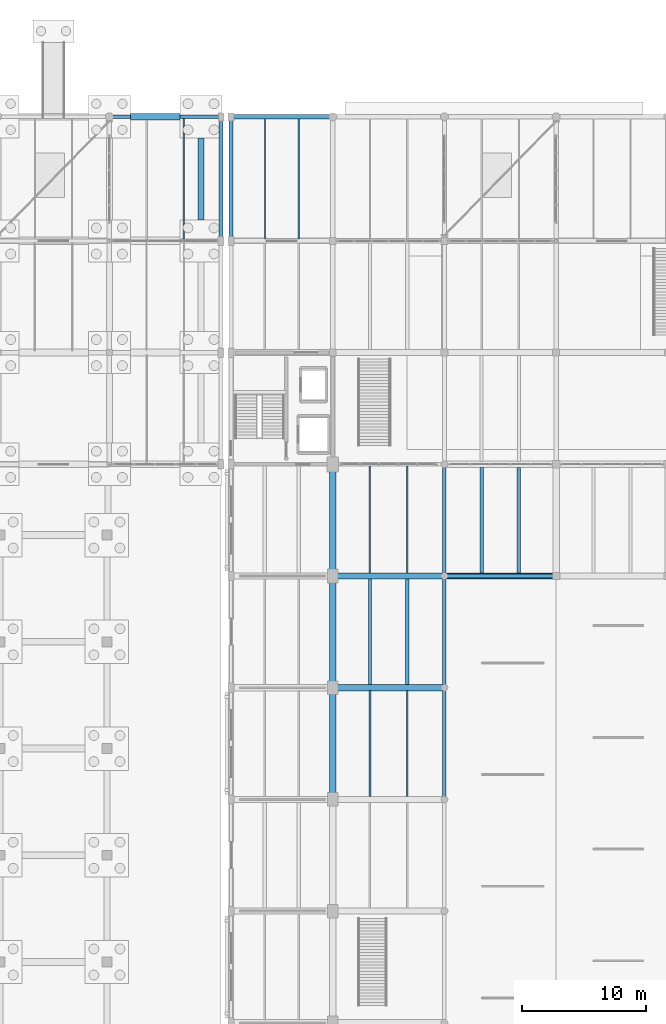
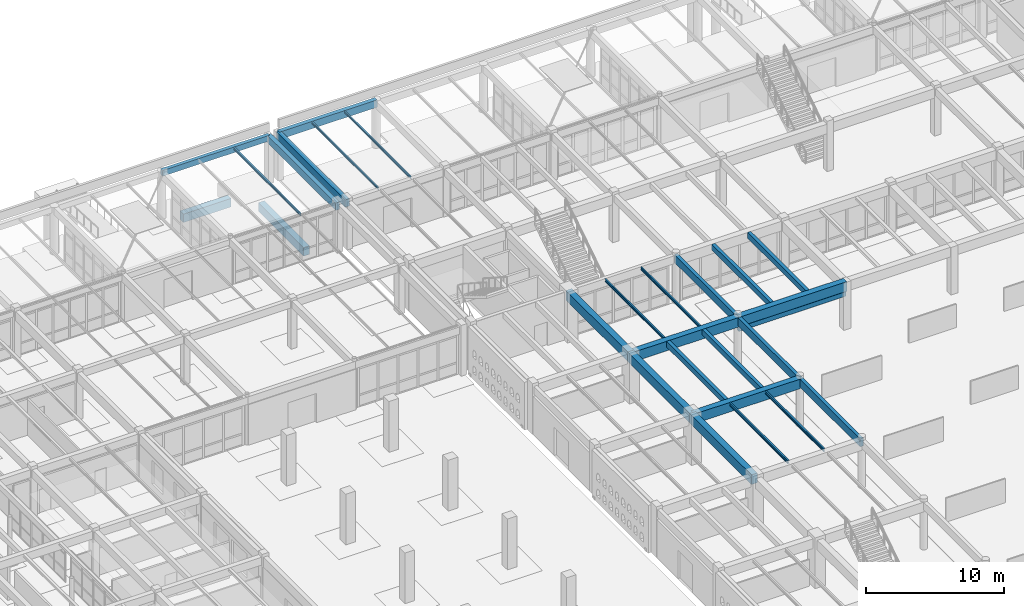
# One storey, part 79 of 186: 27 beams.
"""IFC4 building model written with IfcOpenShell, lengths in metres."""

import ifcopenshell
import ifcopenshell.guid

model = None  # the IFC model being written
_history = None  # IfcOwnerHistory: only IFC2X3 demands one
_inside = {}  # id of a spatial element -> (the spatial element, [elements in it])
_under = {}  # id of a project, library or spatial element -> (it, [spatial elements below it])
_declared = {}  # id of a project -> (the project, [libraries it declares])
_typed = {}  # id of a type object -> (the type object, [elements of that type])
_made_of = {}  # id of a material, layer set ... -> (it, [elements and type objects made of it])


def new_model(schema):
    """Start an empty IFC model of exactly this schema.

    Asked for "IFC4X3", IfcOpenShell would pick the latest addendum, in which some entities
    have other attributes; the version numbers below select the first issue.
    IFC2X3 requires an IfcOwnerHistory on every rooted entity: one is made here for all.
    """
    global model, _history
    if schema == "IFC4X3":
        model = ifcopenshell.file(schema_version=(4, 3, 0, 0))
    else:
        model = ifcopenshell.file(schema=schema)
    _inside.clear()
    _under.clear()
    _declared.clear()
    _typed.clear()
    _made_of.clear()
    _history = None
    if model.schema == "IFC2X3":
        org = make("IfcOrganization", Name="unknown")
        user = make(
            "IfcPersonAndOrganization",
            ThePerson=make("IfcPerson", FamilyName="unknown"),
            TheOrganization=org,
        )
        app = make(
            "IfcApplication",
            ApplicationDeveloper=org,
            Version="unknown",
            ApplicationFullName="unknown",
            ApplicationIdentifier="unknown",
        )
        _history = make(
            "IfcOwnerHistory",
            OwningUser=user,
            OwningApplication=app,
            ChangeAction="ADDED",
            CreationDate=0,
        )
    return model


def make(cls, **values):
    """One entity of the class cls with the attributes given. An attribute that is None is left unset."""
    return model.create_entity(
        cls, **{name: value for name, value in values.items() if value is not None}
    )


def rooted(cls, **values):
    """An entity with a GlobalId (a new one), such as an element, a storey or a relation."""
    return make(cls, GlobalId=ifcopenshell.guid.new(), OwnerHistory=_history, **values)


def si_unit(unit_type, name, prefix=None):
    """IfcSIUnit, for example si_unit("LENGTHUNIT", "METRE", prefix="MILLI")."""
    return make("IfcSIUnit", UnitType=unit_type, Prefix=prefix, Name=name)


def assignment(units):
    """IfcUnitAssignment: the units of a project."""
    return None if units is None else make("IfcUnitAssignment", Units=units)


def point(xyz):
    """IfcCartesianPoint."""
    return None if xyz is None else make("IfcCartesianPoint", Coordinates=xyz)


def direction(xyz):
    """IfcDirection."""
    return None if xyz is None else make("IfcDirection", DirectionRatios=xyz)


def frame(location, z_axis=None, x_axis=None):
    """IfcAxis2Placement3D, a coordinate frame: its origin and axes. An axis left out is left unset."""
    return make(
        "IfcAxis2Placement3D",
        Location=point(location),
        Axis=direction(z_axis),
        RefDirection=direction(x_axis),
    )


def frame_2d(location, x_axis=None):
    """IfcAxis2Placement2D, a coordinate frame in the plane: its origin and x axis."""
    return make(
        "IfcAxis2Placement2D", Location=point(location), RefDirection=direction(x_axis)
    )


def origin():
    """The frame at (0, 0, 0) with its axes left unset."""
    return frame((0.0, 0.0, 0.0))


def origin_2d():
    """The frame at (0, 0) in the plane with its x axis left unset."""
    return frame_2d((0.0, 0.0))


def place(relative_to, where):
    """IfcLocalPlacement: puts the frame where relative to a parent placement (None: the world)."""
    return make(
        "IfcLocalPlacement", PlacementRelTo=relative_to, RelativePlacement=where
    )


def context(
    kind, dimensions, precision=None, world=None, true_north=None, identifier=None
):
    """IfcGeometricRepresentationContext, for example the 3D "Model" context."""
    return make(
        "IfcGeometricRepresentationContext",
        ContextIdentifier=identifier,
        ContextType=kind,
        CoordinateSpaceDimension=dimensions,
        Precision=precision,
        WorldCoordinateSystem=world,
        TrueNorth=true_north,
    )


def subcontext(parent, identifier, kind, view, scale=None):
    """IfcGeometricRepresentationSubContext, for example "Body" below "Model"."""
    return make(
        "IfcGeometricRepresentationSubContext",
        ContextIdentifier=identifier,
        ContextType=kind,
        ParentContext=parent,
        TargetScale=scale,
        TargetView=view,
    )


def project(units=None, contexts=None):
    """IfcProject with its units and contexts."""
    return rooted(
        "IfcProject",
        Name="project",
        RepresentationContexts=contexts,
        UnitsInContext=assignment(units),
    )


def spatial(cls, under=None, at=None, **own):
    """A site, building, storey or space (cls), placed at a placement, below another one or the project."""
    s = rooted(cls, ObjectPlacement=at, **own)
    if under is not None:
        _under.setdefault(under.id(), (under, []))[1].append(s)
    return s


def profile(cls, at=None, kind="AREA", **sizes):
    """A parametric profile (cls). Its sizes go by their IFC names, for example OverallWidth=200.0."""
    return make(cls, ProfileType=kind, Position=at, **sizes)


def rectangle(**sizes):
    """IfcRectangleProfileDef."""
    return profile("IfcRectangleProfileDef", **sizes)


def i_section(**sizes):
    """IfcIShapeProfileDef."""
    return profile("IfcIShapeProfileDef", **sizes)


def extrude(swept, where, along, depth):
    """IfcExtrudedAreaSolid: the profile swept, set in the frame where, extruded along a direction by depth."""
    return make(
        "IfcExtrudedAreaSolid",
        SweptArea=swept,
        Position=where,
        ExtrudedDirection=direction(along),
        Depth=depth,
    )


def shape(context_of_items, identifier, shape_type, items):
    """IfcShapeRepresentation: the items that make up one representation, for example the "Body"."""
    return make(
        "IfcShapeRepresentation",
        ContextOfItems=context_of_items,
        RepresentationIdentifier=identifier,
        RepresentationType=shape_type,
        Items=items,
    )


def material(Name=None, Category=None):
    """IfcMaterial."""
    return make("IfcMaterial", Name=Name, Category=Category)


def material_profile(
    of_material, cross_section, Name=None, Category=None, Priority=None
):
    """IfcMaterialProfile: a cross section and its material."""
    return make(
        "IfcMaterialProfile",
        Name=Name,
        Material=of_material,
        Profile=cross_section,
        Priority=Priority,
        Category=Category,
    )


def profile_set(profiles, Name=None, composite=None):
    """IfcMaterialProfileSet."""
    return make(
        "IfcMaterialProfileSet",
        Name=Name,
        MaterialProfiles=profiles,
        CompositeProfile=composite,
    )


def made_of(thing, what):
    """Note that an element or type object is made of a material, layer set ...; save() writes the relation."""
    if what is not None:
        _made_of.setdefault(what.id(), (what, []))[1].append(thing)
    return thing


def type_object(cls, material=None, **own):
    """A type object (cls), such as IfcWallType, which elements share."""
    return made_of(rooted(cls, **own), material)


def element(
    cls,
    number,
    at=None,
    inside=None,
    cuts=None,
    type_object=None,
    material=None,
    context=None,
    identifier="Body",
    shape_type=None,
    held_by="IfcProductDefinitionShape",
    body=None,
    shapes=None,
    **own,
):
    """One element of the class cls, such as IfcWall. Its Tag is "e" and its number.

    at: its placement. inside: the storey or other place that contains it. cuts: it is an
    opening in that element (IfcRelVoidsElement). A single representation is given by context,
    identifier, shape_type and body (its items); several are given by shapes. held_by: the class
    of the entity that holds the representations. save() writes the other relations.
    """
    e = rooted(cls, Tag="e%d" % number, ObjectPlacement=at, **own)
    if body is not None:
        shapes = [shape(context, identifier, shape_type, body)]
    if shapes is not None:
        e.Representation = make(held_by, Representations=shapes)
    if inside is not None:
        _inside.setdefault(inside.id(), (inside, []))[1].append(e)
    if cuts is not None:
        rooted(
            "IfcRelVoidsElement", RelatingBuildingElement=cuts, RelatedOpeningElement=e
        )
    if type_object is not None:
        _typed.setdefault(type_object.id(), (type_object, []))[1].append(e)
    return made_of(e, material)


def aggregate(whole, parts):
    """IfcRelAggregates: a whole, such as a stair, and the parts it consists of."""
    return rooted("IfcRelAggregates", RelatingObject=whole, RelatedObjects=parts)


def save(model, path):
    """Write the relations noted so far, then the file.

    IfcRelAggregates (storeys below a building ...), IfcRelContainedInSpatialStructure (elements
    in a storey), IfcRelDefinesByType, IfcRelAssociatesMaterial and IfcRelDeclares: one each for
    every whole, place, type object, material and project.
    """
    for whole, parts in _under.values():
        aggregate(whole, parts)
    for where, things in _inside.values():
        rooted(
            "IfcRelContainedInSpatialStructure",
            RelatedElements=things,
            RelatingStructure=where,
        )
    for kind, things in _typed.values():
        rooted("IfcRelDefinesByType", RelatedObjects=things, RelatingType=kind)
    for what, things in _made_of.values():
        rooted("IfcRelAssociatesMaterial", RelatedObjects=things, RelatingMaterial=what)
    for by, libraries in _declared.values():
        rooted("IfcRelDeclares", RelatingContext=by, RelatedDefinitions=libraries)
    model.write(path)


model = new_model("IFC4")

# Units and contexts
model_context = context("Model", 3, precision=1e-05, world=origin(), true_north=direction((0.0, 1.0)))
body_context = subcontext(model_context, "Body", "Model", "MODEL_VIEW")
ifc_project = project(units=[si_unit("LENGTHUNIT", "METRE"), si_unit("AREAUNIT", "SQUARE_METRE"), si_unit("VOLUMEUNIT", "CUBIC_METRE"), si_unit("PLANEANGLEUNIT", "RADIAN"), si_unit("MASSUNIT", "GRAM", prefix="KILO")], contexts=[model_context])

# Site, building, storey
site_placement = place(None, origin())
site = spatial("IfcSite", under=ifc_project, at=site_placement, CompositionType="ELEMENT")
building_placement = place(site_placement, origin())
building = spatial("IfcBuilding", under=site, at=building_placement, Name="Ornek Quay Market", CompositionType="ELEMENT")
storey_placement = place(building_placement, origin())
storey = spatial("IfcBuildingStorey", under=building, at=storey_placement, Name="L00", CompositionType="ELEMENT", Elevation=0.0)

# Beams
ifc_material_1 = material(Name="Concrete C35/45", Category="concrete")
ifc_material_profile_1 = material_profile(ifc_material_1, rectangle(XDim=0.35009765625, YDim=0.64990234375, at=origin_2d()), Name="RC 350x650", Category="concrete")
ifc_profile_set_1 = profile_set([ifc_material_profile_1], Name="Concrete C35/45")
beam_type_1 = type_object("IfcBeamType", Name="BM-CONC-350x650", PredefinedType="BEAM", material=ifc_profile_set_1)
beam_1_placement = place(storey_placement, frame((54.0, 110.0, 3.864990234375), z_axis=(0.0, 1.0, 0.0), x_axis=(-1.0, 0.0, 0.0)))
element("IfcBeam", 1, at=beam_1_placement, inside=storey, type_object=beam_type_1, Name="Primary beam B-CN1-007", PredefinedType="BEAM", context=body_context, shape_type="SweptSolid", body=[
    extrude(rectangle(XDim=0.35009765625, YDim=0.64990234375, at=origin_2d()), origin(), (0.0, 0.0, 1.0), 10.0),
])
beam_2_placement = place(storey_placement, frame((54.800048828125, 120.0, 3.864990234375), z_axis=(1.0, 0.0, 0.0), x_axis=(0.0, 1.0, 0.0)))
element("IfcBeam", 2, at=beam_2_placement, inside=storey, type_object=beam_type_1, Name="Primary beam B-CN1-016", PredefinedType="BEAM", context=body_context, shape_type="SweptSolid", body=[
    extrude(rectangle(XDim=0.35009765625, YDim=0.64990234375, at=origin_2d()), origin(), (0.0, 0.0, 1.0), 8.199951171875),
])
beam_3_placement = place(storey_placement, frame((54.800048828125, 110.0, 3.864990234375), z_axis=(0.0, 1.0, 0.0), x_axis=(-1.0, 0.0, 0.0)))
element("IfcBeam", 3, at=beam_3_placement, inside=storey, type_object=beam_type_1, Name="Primary beam B-CN1-024", PredefinedType="BEAM", context=body_context, shape_type="SweptSolid", body=[
    extrude(rectangle(XDim=0.35009765625, YDim=0.64990234375, at=origin_2d()), origin(), (0.0, 0.0, 1.0), 10.0),
])
ifc_material_2 = material(Name="Concrete C40/50", Category="concrete")
ifc_material_profile_2 = material_profile(ifc_material_2, rectangle(XDim=0.5, YDim=0.85009765625, at=origin_2d()), Name="RC 500x850", Category="concrete")
ifc_profile_set_2 = profile_set([ifc_material_profile_2], Name="Concrete C40/50")
beam_type_2 = type_object("IfcBeamType", Name="BM-GAL-500x850", PredefinedType="BEAM", material=ifc_profile_set_2)
for number, where, z_axis, x_axis, name in (
    (4, (63.0, 74.0, 3.81494140625), (1.0, 0.0, 0.0), (0.0, 1.0, 0.0), "Primary beam B-GL1-018"),
    (5, (63.0, 83.0, 3.81494140625), (1.0, 0.0, 0.0), (0.0, 1.0, 0.0), "Primary beam B-GL1-020"),
    (6, (63.0, 65.0, 3.81494140625), (0.0, 1.0, 0.0), (-1.0, 0.0, 0.0), "Primary beam B-GL1-025"),
    (7, (63.0, 74.0, 3.81494140625), (0.0, 1.0, 0.0), (-1.0, 0.0, 0.0), "Primary beam B-GL1-026"),
    (8, (63.0, 83.0, 3.81494140625), (0.0, 1.0, 0.0), (-1.0, 0.0, 0.0), "Primary beam B-GL1-027"),
    (9, (72.0, 83.0, 3.81494140625), (1.0, 0.0, 0.0), (0.0, 1.0, 0.0), "Primary beam B-GL1-047"),
):
    element("IfcBeam", number, at=place(storey_placement, frame(where, z_axis=z_axis, x_axis=x_axis)), inside=storey, type_object=beam_type_2, Name=name, PredefinedType="BEAM", context=body_context, shape_type="SweptSolid", body=[
        extrude(rectangle(XDim=0.5, YDim=0.85009765625, at=origin_2d()), origin(), (0.0, 0.0, 1.0), 9.0),
    ])
ifc_material_profile_3 = material_profile(ifc_material_1, rectangle(XDim=0.5, YDim=0.75, at=origin_2d()), Name="RC 500x750", Category="concrete")
ifc_profile_set_3 = profile_set([ifc_material_profile_3], Name="Concrete C35/45")
beam_type_3 = type_object("IfcBeamType", Name="BM-GB-500x750", PredefinedType="BEAM", material=ifc_profile_set_3)
beam_4_placement = place(storey_placement, frame((46.699951171875, 120.0, -0.574951171875), z_axis=(1.0, 0.0, 0.0), x_axis=(0.0, 1.0, 0.0)))
element("IfcBeam", 10, at=beam_4_placement, inside=storey, type_object=beam_type_3, Name="Ground tie beam GB-053", PredefinedType="BEAM", context=body_context, shape_type="SweptSolid", body=[
    extrude(rectangle(XDim=0.5, YDim=0.75, at=origin_2d()), origin(), (0.0, 0.0, 1.0), 3.97998046875),
])
beam_5_placement = place(storey_placement, frame((52.3798828125, 111.699951171875, -0.574951171875), z_axis=(0.0, 1.0, 0.0), x_axis=(-1.0, 0.0, 0.0)))
element("IfcBeam", 11, at=beam_5_placement, inside=storey, type_object=beam_type_3, Name="Ground tie beam GB-113", PredefinedType="BEAM", context=body_context, shape_type="SweptSolid", body=[
    extrude(rectangle(XDim=0.5, YDim=0.75, at=origin_2d()), origin(), (0.0, 0.0, 1.0), 6.60009765625),
])
ifc_material_3 = material(Name="Precast concrete C40/50", Category="concrete")
ifc_material_profile_4 = material_profile(ifc_material_3, rectangle(XDim=0.300048828125, YDim=0.39990234375, at=origin_2d()), Name="RC 300x400", Category="concrete")
ifc_profile_set_4 = profile_set([ifc_material_profile_4], Name="Precast concrete C40/50")
beam_type_4 = type_object("IfcBeamType", Name="BM-LNT-300x400", PredefinedType="LINTEL", material=ifc_profile_set_4)
beam_6_placement = place(storey_placement, frame((72.0, 83.0, 3.10009765625), z_axis=(1.0, 0.0, 0.0), x_axis=(0.0, 1.0, 0.0)))
element("IfcBeam", 12, at=beam_6_placement, inside=storey, type_object=beam_type_4, Name="Market portal lintel LN-01", PredefinedType="LINTEL", context=body_context, shape_type="SweptSolid", body=[
    extrude(rectangle(XDim=0.300048828125, YDim=0.39990234375, at=origin_2d()), origin(), (0.0, 0.0, 1.0), 9.0),
])
ifc_material_profile_5 = material_profile(ifc_material_1, rectangle(XDim=0.280029296875, YDim=0.5, at=origin_2d()), Name="RC 280x500", Category="concrete")
ifc_profile_set_5 = profile_set([ifc_material_profile_5], Name="Concrete C35/45")
beam_type_5 = type_object("IfcBeamType", Name="BM-SEC-280x500", PredefinedType="JOIST", material=ifc_profile_set_5)
for number, where, z_axis, x_axis, name in (
    (13, (66.0, 74.241943359375, 3.989990234375), (0.0, 1.0, 0.0), (-1.0, 0.0, 0.0), "Secondary joist B-SC2-045"),
    (14, (69.0, 74.241943359375, 3.989990234375), (0.0, 1.0, 0.0), (-1.0, 0.0, 0.0), "Secondary joist B-SC2-046"),
    (15, (75.0, 83.241943359375, 3.989990234375), (0.0, 1.0, 0.0), (-1.0, 0.0, 0.0), "Secondary joist B-SC2-057"),
    (16, (78.0, 83.241943359375, 3.989990234375), (0.0, 1.0, 0.0), (-1.0, 0.0, 0.0), "Secondary joist B-SC2-058"),
):
    element("IfcBeam", number, at=place(storey_placement, frame(where, z_axis=z_axis, x_axis=x_axis)), inside=storey, type_object=beam_type_5, Name=name, PredefinedType="JOIST", context=body_context, shape_type="SweptSolid", body=[
        extrude(rectangle(XDim=0.280029296875, YDim=0.5, at=origin_2d()), origin(), (0.0, 0.0, 1.0), 8.51611328125),
    ])
ifc_material_profile_6 = material_profile(ifc_material_1, rectangle(XDim=0.280029296875, YDim=0.699951171875, at=origin_2d()), Name="RC 280x700", Category="concrete")
ifc_profile_set_6 = profile_set([ifc_material_profile_6], Name="Concrete C35/45")
beam_type_6 = type_object("IfcBeamType", Name="BM-SPN-280x700", PredefinedType="SPANDREL", material=ifc_profile_set_6)
for number, where, z_axis, x_axis, name in (
    (17, (72.0, 65.0, 3.889892578125), (0.0, 1.0, 0.0), (-1.0, 0.0, 0.0), "Primary beam B-SP2-030"),
    (18, (72.0, 74.0, 3.889892578125), (0.0, 1.0, 0.0), (-1.0, 0.0, 0.0), "Primary beam B-SP2-031"),
    (19, (72.0, 83.0, 3.889892578125), (0.0, 1.0, 0.0), (-1.0, 0.0, 0.0), "Primary beam B-SP2-032"),
):
    element("IfcBeam", number, at=place(storey_placement, frame(where, z_axis=z_axis, x_axis=x_axis)), inside=storey, type_object=beam_type_6, Name=name, PredefinedType="SPANDREL", context=body_context, shape_type="SweptSolid", body=[
        extrude(rectangle(XDim=0.280029296875, YDim=0.699951171875, at=origin_2d()), origin(), (0.0, 0.0, 1.0), 9.0),
    ])
ifc_material_4 = material(Name="Steel S355", Category="steel")
ifc_material_profile_7 = material_profile(ifc_material_4, i_section(OverallWidth=0.10009765625, OverallDepth=0.199951171875, WebThickness=0.005615234375, FlangeThickness=0.008544921875, FilletRadius=0.011962890625, at=origin_2d()), Name="IPE 200", Category="steel")
ifc_profile_set_7 = profile_set([ifc_material_profile_7], Name="Steel S355")
beam_type_7 = type_object("IfcBeamType", Name="BM-STL-IPE200", PredefinedType="JOIST", material=ifc_profile_set_7)
for number, where, z_axis, x_axis, name in (
    (20, (57.533203125, 110.1669921875, 4.090087890625), (0.0, 1.0, 0.0), (-1.0, 0.0, 0.0), "Secondary joist SB-02-005"),
    (21, (60.2666015625, 110.1669921875, 4.090087890625), (0.0, 1.0, 0.0), (-1.0, 0.0, 0.0), "Secondary joist SB-02-006"),
):
    element("IfcBeam", number, at=place(storey_placement, frame(where, z_axis=z_axis, x_axis=x_axis)), inside=storey, type_object=beam_type_7, Name=name, PredefinedType="JOIST", context=body_context, shape_type="SweptSolid", body=[
        extrude(i_section(OverallWidth=0.10009765625, OverallDepth=0.199951171875, WebThickness=0.005615234375, FlangeThickness=0.008544921875, FilletRadius=0.011962890625, at=origin_2d()), origin(), (0.0, 0.0, 1.0), 9.666015625),
    ])
ifc_material_profile_8 = material_profile(ifc_material_4, i_section(OverallWidth=0.110107421875, OverallDepth=0.219970703125, WebThickness=0.005859375, FlangeThickness=0.00927734375, FilletRadius=0.011962890625, at=origin_2d()), Name="IPE 220", Category="steel")
ifc_profile_set_8 = profile_set([ifc_material_profile_8], Name="Steel S355")
beam_type_8 = type_object("IfcBeamType", Name="BM-STL-IPE220", PredefinedType="JOIST", material=ifc_profile_set_8)
beam_7_placement = place(storey_placement, frame((51.0, 110.14208984375, 4.080078125), z_axis=(0.0, 1.0, 0.0), x_axis=(-1.0, 0.0, 0.0)))
element("IfcBeam", 22, at=beam_7_placement, inside=storey, type_object=beam_type_8, Name="Secondary joist SB-03-004", PredefinedType="JOIST", context=body_context, shape_type="SweptSolid", body=[
    extrude(i_section(OverallWidth=0.110107421875, OverallDepth=0.219970703125, WebThickness=0.005859375, FlangeThickness=0.00927734375, FilletRadius=0.011962890625, at=origin_2d()), origin(), (0.0, 0.0, 1.0), 9.7158203125),
])
ifc_material_profile_9 = material_profile(ifc_material_4, i_section(OverallWidth=0.1201171875, OverallDepth=0.239990234375, WebThickness=0.006103515625, FlangeThickness=0.009765625, FilletRadius=0.014892578125, at=origin_2d()), Name="IPE 240", Category="steel")
ifc_profile_set_9 = profile_set([ifc_material_profile_9], Name="Steel S355")
beam_type_9 = type_object("IfcBeamType", Name="BM-STL-IPE240", PredefinedType="JOIST", material=ifc_profile_set_9)
for number, where, z_axis, x_axis, name in (
    (23, (66.0, 83.241943359375, 4.1201171875), (0.0, 1.0, 0.0), (-1.0, 0.0, 0.0), "Secondary joist SB-04-025"),
    (24, (69.0, 83.241943359375, 4.1201171875), (0.0, 1.0, 0.0), (-1.0, 0.0, 0.0), "Secondary joist SB-04-026"),
):
    element("IfcBeam", number, at=place(storey_placement, frame(where, z_axis=z_axis, x_axis=x_axis)), inside=storey, type_object=beam_type_9, Name=name, PredefinedType="JOIST", context=body_context, shape_type="SweptSolid", body=[
        extrude(i_section(OverallWidth=0.1201171875, OverallDepth=0.239990234375, WebThickness=0.006103515625, FlangeThickness=0.009765625, FilletRadius=0.014892578125, at=origin_2d()), origin(), (0.0, 0.0, 1.0), 8.6259765625),
    ])
ifc_material_profile_10 = material_profile(ifc_material_4, i_section(OverallWidth=0.135009765625, OverallDepth=0.27001953125, WebThickness=0.006591796875, FlangeThickness=0.01025390625, FilletRadius=0.014892578125, at=origin_2d()), Name="IPE 270", Category="steel")
ifc_profile_set_10 = profile_set([ifc_material_profile_10], Name="Steel S355")
beam_type_10 = type_object("IfcBeamType", Name="BM-STL-IPE270", PredefinedType="JOIST", material=ifc_profile_set_10)
for number, where, z_axis, x_axis, name in (
    (25, (66.0, 65.241943359375, 4.10498046875), (0.0, 1.0, 0.0), (-1.0, 0.0, 0.0), "Secondary joist SB-05-007"),
    (26, (69.0, 65.241943359375, 4.10498046875), (0.0, 1.0, 0.0), (-1.0, 0.0, 0.0), "Secondary joist SB-05-008"),
):
    element("IfcBeam", number, at=place(storey_placement, frame(where, z_axis=z_axis, x_axis=x_axis)), inside=storey, type_object=beam_type_10, Name=name, PredefinedType="JOIST", context=body_context, shape_type="SweptSolid", body=[
        extrude(i_section(OverallWidth=0.135009765625, OverallDepth=0.27001953125, WebThickness=0.006591796875, FlangeThickness=0.01025390625, FilletRadius=0.014892578125, at=origin_2d()), origin(), (0.0, 0.0, 1.0), 8.51611328125),
    ])
ifc_material_profile_11 = material_profile(ifc_material_2, rectangle(XDim=0.300048828125, YDim=0.5, at=origin_2d()), Name="RC 300x500", Category="concrete")
ifc_profile_set_11 = profile_set([ifc_material_profile_11], Name="Concrete C40/50")
beam_type_11 = type_object("IfcBeamType", Name="BM-UMB-RIM-300x500", PredefinedType="SPANDREL", material=ifc_profile_set_11)
beam_8_placement = place(storey_placement, frame((45.0, 120.0, 3.93994140625), z_axis=(1.0, 0.0, 0.0), x_axis=(0.0, 1.0, 0.0)))
element("IfcBeam", 27, at=beam_8_placement, inside=storey, type_object=beam_type_11, Name="Primary beam B-UMR-012", PredefinedType="SPANDREL", context=body_context, shape_type="SweptSolid", body=[
    extrude(rectangle(XDim=0.300048828125, YDim=0.5, at=origin_2d()), origin(), (0.0, 0.0, 1.0), 9.0),
])

save(model, "model.ifc")
